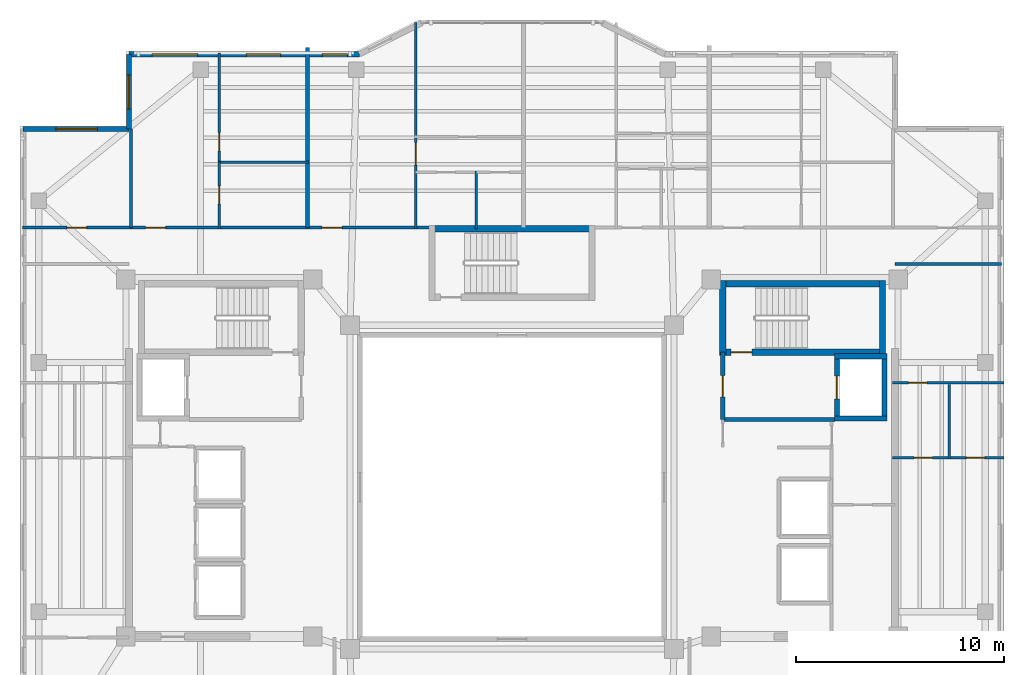
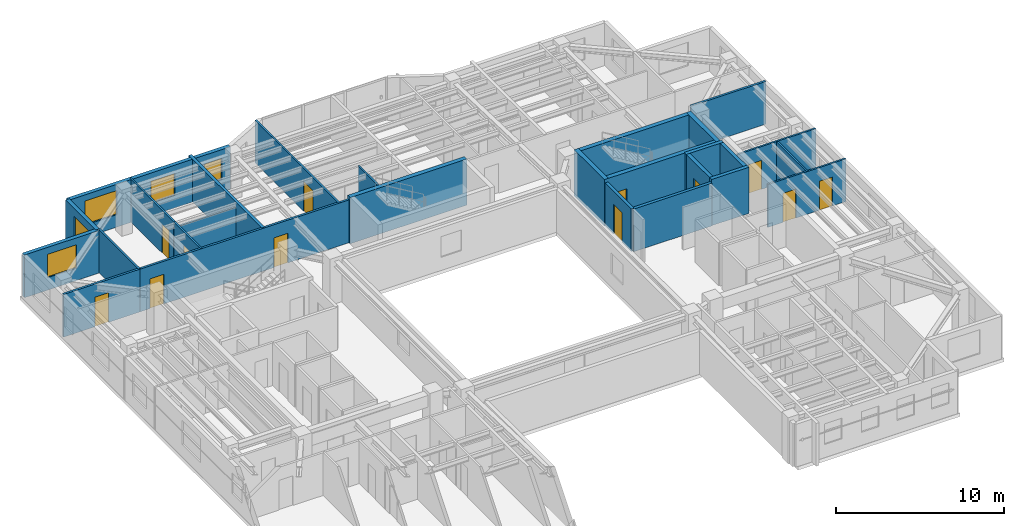
# One storey, part 7 of 12: 27 walls, 12 doors, 5 windows, 17 openings.
"""IFC4 building model written with IfcOpenShell, lengths in metres."""

from ifc_helpers import new_model, si_unit, direction, frame, frame_2d, origin, place, context, subcontext, project, spatial, rectangle, extrude, material, layer, layer_set, type_object, element, fill, save


model = new_model("IFC4")

# Units and contexts
model_context = context("Model", 3, precision=1e-05, world=origin(), true_north=direction((0.0, 1.0)))
body_context = subcontext(model_context, "Body", "Model", "MODEL_VIEW")
ifc_project = project(units=[si_unit("LENGTHUNIT", "METRE"), si_unit("AREAUNIT", "SQUARE_METRE"), si_unit("VOLUMEUNIT", "CUBIC_METRE"), si_unit("PLANEANGLEUNIT", "RADIAN"), si_unit("MASSUNIT", "GRAM", prefix="KILO")], contexts=[model_context])

# Site, building, storey
site_placement = place(None, origin())
site = spatial("IfcSite", under=ifc_project, at=site_placement, CompositionType="ELEMENT")
building_placement = place(site_placement, origin())
building = spatial("IfcBuilding", under=site, at=building_placement, Name="Tarnavaz Court Tower", CompositionType="ELEMENT")
storey_placement = place(building_placement, frame((0.0, 0.0, 207.0)))
storey = spatial("IfcBuildingStorey", under=building, at=storey_placement, Name="L56", CompositionType="ELEMENT", Elevation=207.0)

# Wall, opening, door
ifc_material_1 = material(Name="Concrete C50/60", Category="concrete")
ifc_layer_1 = layer(ifc_material_1, 0.25)
ifc_layer_set_1 = layer_set([ifc_layer_1], Name="Concrete C50/60")
wall_type_1 = type_object("IfcWallType", Name="WL-CORE-250-C50", PredefinedType="SHEAR", material=ifc_layer_set_1)
wall_1_placement = place(storey_placement, frame((15.64990234375, 3.175048828125, 0.0), z_axis=(0.0, 0.0, 1.0), x_axis=(0.0, 1.0, 0.0)))
wall_1 = element("IfcWall", 1, at=wall_1_placement, inside=storey, type_object=wall_type_1, Name="L56 Lift FL-E1 Shaft Wall 033", PredefinedType="SHEAR", context=body_context, shape_type="SweptSolid", body=[
    extrude(rectangle(XDim=3.25, YDim=0.25, at=frame_2d((1.625, 0.0))), origin(), (0.0, 0.0, 1.0), 3.35009765625),
])
opening_1_placement = place(wall_1_placement, frame((1.074951171875, 0.0, 0.0)))
opening_1 = element("IfcOpeningElement", 2, at=opening_1_placement, cuts=wall_1, Name="Opening LD1", PredefinedType="OPENING", context=body_context, shape_type="SweptSolid", body=[
    extrude(rectangle(XDim=1.10009765625, YDim=2.14990234375, at=frame_2d((0.550048828125, 1.074951171875))), frame((0.0, 0.135009765625, 0.0), z_axis=(0.0, -1.0, 0.0), x_axis=(1.0, 0.0, 0.0)), (0.0, 0.0, 1.0), 0.27001953125),
])
ifc_material_2 = material(Name="Stainless Steel", Category="steel")
door_type_1 = type_object("IfcDoorType", Name="DR-LD-1100", OperationType="NOTDEFINED", PredefinedType="DOOR", material=ifc_material_2)
door_1_placement = place(opening_1_placement, origin())
door_1 = element("IfcDoor", 3, at=door_1_placement, inside=storey, type_object=door_type_1, Name="L56 Lift Landing Door LD-FL-E1", OperationType="SLIDING_TO_LEFT", OverallHeight=2.14990234375, OverallWidth=1.10009765625, PredefinedType="DOOR", context=body_context, shape_type="SweptSolid", body=[
    extrude(rectangle(XDim=1.10009765625, YDim=2.14990234375, at=frame_2d((0.550048828125, 1.074951171875))), frame((0.0, 0.02490234375, 0.0), z_axis=(0.0, -1.0, 0.0), x_axis=(1.0, 0.0, 0.0)), (0.0, 0.0, 1.0), 0.050048828125),
])
fill(opening_1, door_1)

# Walls
wall_2_placement = place(storey_placement, frame((17.949951171875, 3.175048828125, 0.0), z_axis=(0.0, 0.0, 1.0), x_axis=(0.0, 1.0, 0.0)))
element("IfcWall", 4, at=wall_2_placement, inside=storey, type_object=wall_type_1, Name="L56 Lift FL-E1 Shaft Wall 034", PredefinedType="SHEAR", context=body_context, shape_type="SweptSolid", body=[
    extrude(rectangle(XDim=3.25, YDim=0.25, at=frame_2d((1.625, 0.0))), origin(), (0.0, 0.0, 1.0), 3.35009765625),
])
for number, where, z_axis, x_axis, name in (
    (5, (15.52490234375, 3.300048828125, 0.0), (0.0, 0.0, 1.0), (1.0, 0.0, 0.0), "L56 Lift FL-E1 Shaft Wall 035"),
    (6, (15.52490234375, 6.300048828125, 0.0), (0.0, 0.0, 1.0), (1.0, 0.0, 0.0), "L56 Lift FL-E1 Shaft Wall 036"),
):
    element("IfcWall", number, at=place(storey_placement, frame(where, z_axis=z_axis, x_axis=x_axis)), inside=storey, type_object=wall_type_1, Name=name, PredefinedType="SHEAR", context=body_context, shape_type="SweptSolid", body=[
        extrude(rectangle(XDim=2.550048828125, YDim=0.25, at=frame_2d((1.27490234375, 0.0))), origin(), (0.0, 0.0, 1.0), 3.35009765625),
    ])
ifc_layer_2 = layer(ifc_material_1, 0.300048828125)
ifc_layer_set_2 = layer_set([ifc_layer_2], Name="Concrete C50/60")
wall_type_2 = type_object("IfcWallType", Name="WL-CORE-300-C50", PredefinedType="SHEAR", material=ifc_layer_set_2)
wall_3_placement = place(storey_placement, frame((10.0, 9.7900390625, 0.0), z_axis=(0.0, 0.0, 1.0), x_axis=(1.0, 0.0, 0.0)))
element("IfcWall", 7, at=wall_3_placement, inside=storey, type_object=wall_type_2, Name="L56 East Stair Core Wall 005", PredefinedType="SHEAR", context=body_context, shape_type="SweptSolid", body=[
    extrude(rectangle(XDim=8.0, YDim=0.300048828125, at=frame_2d((4.0, 0.0))), origin(), (0.0, 0.0, 1.0), 3.35009765625),
])

# Wall, opening, door
wall_4_placement = place(storey_placement, frame((10.0, 6.5, 0.0), z_axis=(0.0, 0.0, 1.0), x_axis=(1.0, 0.0, 0.0)))
wall_4 = element("IfcWall", 8, at=wall_4_placement, inside=storey, type_object=wall_type_2, Name="L56 East Stair Core Wall 006", PredefinedType="SHEAR", context=body_context, shape_type="SweptSolid", body=[
    extrude(rectangle(XDim=8.0, YDim=0.300048828125, at=frame_2d((4.0, 0.0))), origin(), (0.0, 0.0, 1.0), 3.35009765625),
])
opening_2_placement = place(wall_4_placement, frame((0.550048828125, 0.0, 0.0)))
opening_2 = element("IfcOpeningElement", 9, at=opening_2_placement, cuts=wall_4, Name="Opening D01", PredefinedType="OPENING", context=body_context, shape_type="SweptSolid", body=[
    extrude(rectangle(XDim=1.0, YDim=2.14990234375, at=frame_2d((0.5, 1.074951171875))), frame((0.0, 0.159912109375, 0.0), z_axis=(0.0, -1.0, 0.0), x_axis=(1.0, 0.0, 0.0)), (0.0, 0.0, 1.0), 0.320068359375),
])
ifc_material_3 = material(Name="Fire-Rated Hardwood Timber Core", Category="wood")
door_type_2 = type_object("IfcDoorType", Name="DR-FD90-1000", OperationType="NOTDEFINED", PredefinedType="DOOR", material=ifc_material_3)
door_2_placement = place(opening_2_placement, origin())
door_2 = element("IfcDoor", 10, at=door_2_placement, inside=storey, type_object=door_type_2, Name="L56 Stair ST-E1 Exit Door", OperationType="SINGLE_SWING_RIGHT", OverallHeight=2.14990234375, OverallWidth=1.0, PredefinedType="DOOR", context=body_context, shape_type="SweptSolid", body=[
    extrude(rectangle(XDim=1.0, YDim=2.14990234375, at=frame_2d((0.5, 1.074951171875))), frame((0.0, 0.02490234375, 0.0), z_axis=(0.0, -1.0, 0.0), x_axis=(1.0, 0.0, 0.0)), (0.0, 0.0, 1.0), 0.050048828125),
])
fill(opening_2, door_2)

# Walls
for number, where, z_axis, x_axis, name in (
    (11, (10.14990234375, 6.35009765625, 0.0), (0.0, 0.0, 1.0), (0.0, 1.0, 0.0), "L56 East Stair Core Wall 007"),
    (12, (17.85009765625, 6.35009765625, 0.0), (0.0, 0.0, 1.0), (0.0, 1.0, 0.0), "L56 East Stair Core Wall 008"),
):
    element("IfcWall", number, at=place(storey_placement, frame(where, z_axis=z_axis, x_axis=x_axis)), inside=storey, type_object=wall_type_2, Name=name, PredefinedType="SHEAR", context=body_context, shape_type="SweptSolid", body=[
        extrude(rectangle(XDim=3.58984375, YDim=0.300048828125, at=frame_2d((1.794921875, 0.0))), origin(), (0.0, 0.0, 1.0), 3.35009765625),
    ])
wall_5_placement = place(storey_placement, frame((-4.0, 12.43994140625, 0.0), z_axis=(0.0, 0.0, 1.0), x_axis=(1.0, 0.0, 0.0)))
element("IfcWall", 13, at=wall_5_placement, inside=storey, type_object=wall_type_2, Name="L56 North Stair Core Wall 009", PredefinedType="SHEAR", context=body_context, shape_type="SweptSolid", body=[
    extrude(rectangle(XDim=8.0, YDim=0.300048828125, at=frame_2d((4.0, 0.0))), origin(), (0.0, 0.0, 1.0), 3.35009765625),
])

# Wall, opening, window
ifc_material_4 = material(Name="Precast Concrete C40/50", Category="concrete")
ifc_layer_3 = layer(ifc_material_4, 0.260009765625)
ifc_layer_set_3 = layer_set([ifc_layer_3], Name="Precast Concrete C40/50")
wall_type_3 = type_object("IfcWallType", Name="WL-EXT-260", PredefinedType="SOLIDWALL", material=ifc_layer_set_3)
wall_6_placement = place(storey_placement, frame((-23.550048828125, 17.25, 0.0), z_axis=(0.0, 0.0, 1.0), x_axis=(1.0, 0.0, 0.0)))
wall_6 = element("IfcWall", 14, at=wall_6_placement, inside=storey, type_object=wall_type_3, Name="L56 Exterior Terracotta Facade Wall 03", PredefinedType="SOLIDWALL", context=body_context, shape_type="SweptSolid", body=[
    extrude(rectangle(XDim=5.10009765625, YDim=0.260009765625, at=frame_2d((2.550048828125, 0.0))), origin(), (0.0, 0.0, 1.0), 3.10009765625),
])
opening_3_placement = place(wall_6_placement, frame((1.574951171875, 0.0, 0.89990234375)))
opening_3 = element("IfcOpeningElement", 15, at=opening_3_placement, cuts=wall_6, Name="Opening W08", PredefinedType="OPENING", context=body_context, shape_type="SweptSolid", body=[
    extrude(rectangle(XDim=2.0, YDim=1.699951171875, at=frame_2d((1.0, 0.85009765625))), frame((0.0, 0.139892578125, 0.0), z_axis=(0.0, -1.0, 0.0), x_axis=(1.0, 0.0, 0.0)), (0.0, 0.0, 1.0), 0.280029296875),
])
ifc_material_5 = material(Name="Double-Glazed Solar Low-E Glass", Category="glass")
window_type_1 = type_object("IfcWindowType", Name="WN-APT-2000", PartitioningType="DOUBLE_PANEL_VERTICAL", PredefinedType="WINDOW", material=ifc_material_5)
window_1_placement = place(opening_3_placement, origin())
window_1 = element("IfcWindow", 16, at=window_1_placement, inside=storey, type_object=window_type_1, Name="L56 North-West Corner Sunroom Study Window", OverallHeight=1.699951171875, OverallWidth=2.0, PartitioningType="SINGLE_PANEL", PredefinedType="WINDOW", context=body_context, shape_type="SweptSolid", body=[
    extrude(rectangle(XDim=2.0, YDim=1.699951171875, at=frame_2d((1.0, 0.85009765625))), frame((0.0, 0.030029296875, 0.0), z_axis=(0.0, -1.0, 0.0), x_axis=(1.0, 0.0, 0.0)), (0.0, 0.0, 1.0), 0.06005859375),
])
fill(opening_3, window_1)

wall_7_placement = place(storey_placement, frame((-18.449951171875, 17.25, 0.0), z_axis=(0.0, 0.0, 1.0), x_axis=(0.0, 1.0, 0.0)))
wall_7 = element("IfcWall", 17, at=wall_7_placement, inside=storey, type_object=wall_type_3, Name="L56 Exterior Terracotta Facade Wall 04", PredefinedType="SOLIDWALL", context=body_context, shape_type="SweptSolid", body=[
    extrude(rectangle(XDim=3.60009765625, YDim=0.260009765625, at=frame_2d((1.800048828125, 0.0))), origin(), (0.0, 0.0, 1.0), 3.10009765625),
])
opening_4_placement = place(wall_7_placement, frame((0.95751953125, 0.0, 0.89990234375)))
opening_4 = element("IfcOpeningElement", 18, at=opening_4_placement, cuts=wall_7, Name="Opening W02", PredefinedType="OPENING", context=body_context, shape_type="SweptSolid", body=[
    extrude(rectangle(XDim=1.64990234375, YDim=1.60009765625, at=frame_2d((0.824951171875, 0.800048828125))), frame((0.0, 0.139892578125, 0.0), z_axis=(0.0, -1.0, 0.0), x_axis=(1.0, 0.0, 0.0)), (0.0, 0.0, 1.0), 0.280029296875),
])
window_type_2 = type_object("IfcWindowType", Name="WN-APT-1650", PartitioningType="DOUBLE_PANEL_VERTICAL", PredefinedType="WINDOW", material=ifc_material_5)
window_2_placement = place(opening_4_placement, origin())
window_2 = element("IfcWindow", 19, at=window_2_placement, inside=storey, type_object=window_type_2, Name="L56 Flat 01 Studio Living and Sleeping Room Window", OverallHeight=1.60009765625, OverallWidth=1.64990234375, PartitioningType="SINGLE_PANEL", PredefinedType="WINDOW", context=body_context, shape_type="SweptSolid", body=[
    extrude(rectangle(XDim=1.64990234375, YDim=1.60009765625, at=frame_2d((0.824951171875, 0.800048828125))), frame((0.0, 0.030029296875, 0.0), z_axis=(0.0, -1.0, 0.0), x_axis=(1.0, 0.0, 0.0)), (0.0, 0.0, 1.0), 0.06005859375),
])
fill(opening_4, window_2)

# Wall, openings, windows
wall_8_placement = place(storey_placement, frame((-18.449951171875, 20.85009765625, 0.0), z_axis=(0.0, 0.0, 1.0), x_axis=(1.0, 0.0, 0.0)))
wall_8 = element("IfcWall", 20, at=wall_8_placement, inside=storey, type_object=wall_type_3, Name="L56 Exterior Terracotta Facade Wall 05", PredefinedType="SOLIDWALL", context=body_context, shape_type="SweptSolid", body=[
    extrude(rectangle(XDim=11.099853515625, YDim=0.260009765625, at=frame_2d((5.5498046875, 0.0))), origin(), (0.0, 0.0, 1.0), 3.10009765625),
])
opening_5_placement = place(wall_8_placement, frame((1.110107421875, 0.0, 0.89990234375)))
opening_5 = element("IfcOpeningElement", 21, at=opening_5_placement, cuts=wall_8, Name="Opening W07", PredefinedType="OPENING", context=body_context, shape_type="SweptSolid", body=[
    extrude(rectangle(XDim=2.199951171875, YDim=1.75, at=frame_2d((1.10009765625, 0.875))), frame((0.0, 0.139892578125, 0.0), z_axis=(0.0, -1.0, 0.0), x_axis=(1.0, 0.0, 0.0)), (0.0, 0.0, 1.0), 0.280029296875),
])
opening_6_placement = place(wall_8_placement, frame((5.654296875, 0.0, 0.89990234375)))
opening_6 = element("IfcOpeningElement", 22, at=opening_6_placement, cuts=wall_8, Name="Opening W02", PredefinedType="OPENING", context=body_context, shape_type="SweptSolid", body=[
    extrude(rectangle(XDim=1.64990234375, YDim=1.60009765625, at=frame_2d((0.824951171875, 0.800048828125))), frame((0.0, 0.139892578125, 0.0), z_axis=(0.0, -1.0, 0.0), x_axis=(1.0, 0.0, 0.0)), (0.0, 0.0, 1.0), 0.280029296875),
])
opening_7_placement = place(wall_8_placement, frame((9.319580078125, 0.0, 0.949951171875)))
opening_7 = element("IfcOpeningElement", 23, at=opening_7_placement, cuts=wall_8, Name="Opening W05", PredefinedType="OPENING", context=body_context, shape_type="SweptSolid", body=[
    extrude(rectangle(XDim=1.199951171875, YDim=1.5, at=frame_2d((0.60009765625, 0.75))), frame((0.0, 0.139892578125, 0.0), z_axis=(0.0, -1.0, 0.0), x_axis=(1.0, 0.0, 0.0)), (0.0, 0.0, 1.0), 0.280029296875),
])
window_type_3 = type_object("IfcWindowType", Name="WN-APT-1200", PartitioningType="SINGLE_PANEL", PredefinedType="WINDOW", material=ifc_material_5)
window_3_placement = place(opening_7_placement, origin())
window_3 = element("IfcWindow", 24, at=window_3_placement, inside=storey, type_object=window_type_3, Name="L56 Flat 02 Living and Dining Room Window", OverallHeight=1.5, OverallWidth=1.199951171875, PartitioningType="SINGLE_PANEL", PredefinedType="WINDOW", context=body_context, shape_type="SweptSolid", body=[
    extrude(rectangle(XDim=1.199951171875, YDim=1.5, at=frame_2d((0.60009765625, 0.75))), frame((0.0, 0.030029296875, 0.0), z_axis=(0.0, -1.0, 0.0), x_axis=(1.0, 0.0, 0.0)), (0.0, 0.0, 1.0), 0.06005859375),
])
fill(opening_7, window_3)
window_4_placement = place(opening_6_placement, origin())
window_4 = element("IfcWindow", 25, at=window_4_placement, inside=storey, type_object=window_type_2, Name="L56 Flat 01 Kitchen Window", OverallHeight=1.60009765625, OverallWidth=1.64990234375, PartitioningType="SINGLE_PANEL", PredefinedType="WINDOW", context=body_context, shape_type="SweptSolid", body=[
    extrude(rectangle(XDim=1.64990234375, YDim=1.60009765625, at=frame_2d((0.824951171875, 0.800048828125))), frame((0.0, 0.030029296875, 0.0), z_axis=(0.0, -1.0, 0.0), x_axis=(1.0, 0.0, 0.0)), (0.0, 0.0, 1.0), 0.06005859375),
])
fill(opening_6, window_4)
window_type_4 = type_object("IfcWindowType", Name="WN-APT-2200", PartitioningType="TRIPLE_PANEL_VERTICAL", PredefinedType="WINDOW", material=ifc_material_5)
window_5_placement = place(opening_5_placement, origin())
window_5 = element("IfcWindow", 26, at=window_5_placement, inside=storey, type_object=window_type_4, Name="L56 Flat 01 Studio Living and Sleeping Room Window", OverallHeight=1.75, OverallWidth=2.199951171875, PartitioningType="SINGLE_PANEL", PredefinedType="WINDOW", context=body_context, shape_type="SweptSolid", body=[
    extrude(rectangle(XDim=2.199951171875, YDim=1.75, at=frame_2d((1.10009765625, 0.875))), frame((0.0, 0.030029296875, 0.0), z_axis=(0.0, -1.0, 0.0), x_axis=(1.0, 0.0, 0.0)), (0.0, 0.0, 1.0), 0.06005859375),
])
fill(opening_5, window_5)

# Wall, openings, doors
ifc_material_6 = material(Name="Gypsum Fire-Board on Acoustic Metal Stud", Category="masonry")
ifc_layer_4 = layer(ifc_material_6, 0.14990234375)
ifc_layer_set_4 = layer_set([ifc_layer_4], Name="Gypsum Fire-Board on Acoustic Metal Stud")
wall_type_4 = type_object("IfcWallType", Name="WL-FIRE-150", PredefinedType="PARTITIONING", material=ifc_layer_set_4)
wall_9_placement = place(storey_placement, frame((-18.35009765625, 12.5, 0.0), z_axis=(0.0, 0.0, 1.0), x_axis=(1.0, 0.0, 0.0)))
wall_9 = element("IfcWall", 27, at=wall_9_placement, inside=storey, type_object=wall_type_4, Name="L56 NW Wing Corridor Wall 055", PredefinedType="PARTITIONING", context=body_context, shape_type="SweptSolid", body=[
    extrude(rectangle(XDim=14.5, YDim=0.14990234375, at=frame_2d((7.25, 0.0))), origin(), (0.0, 0.0, 1.0), 3.10009765625),
])
opening_8_placement = place(wall_9_placement, frame((0.699951171875, 0.0, 0.0)))
opening_8 = element("IfcOpeningElement", 28, at=opening_8_placement, cuts=wall_9, Name="Opening D06", PredefinedType="OPENING", context=body_context, shape_type="SweptSolid", body=[
    extrude(rectangle(XDim=0.9599609375, YDim=2.14990234375, at=frame_2d((0.47998046875, 1.074951171875))), frame((0.0, 0.0849609375, 0.0), z_axis=(0.0, -1.0, 0.0), x_axis=(1.0, 0.0, 0.0)), (0.0, 0.0, 1.0), 0.169921875),
])
opening_9_placement = place(wall_9_placement, frame((9.205078125, 0.0, 0.0)))
opening_9 = element("IfcOpeningElement", 29, at=opening_9_placement, cuts=wall_9, Name="Opening D06", PredefinedType="OPENING", context=body_context, shape_type="SweptSolid", body=[
    extrude(rectangle(XDim=0.9599609375, YDim=2.14990234375, at=frame_2d((0.47998046875, 1.074951171875))), frame((0.0, 0.0849609375, 0.0), z_axis=(0.0, -1.0, 0.0), x_axis=(1.0, 0.0, 0.0)), (0.0, 0.0, 1.0), 0.169921875),
])
door_type_3 = type_object("IfcDoorType", Name="DR-FD60-950", OperationType="NOTDEFINED", PredefinedType="DOOR", material=ifc_material_3)
door_3_placement = place(opening_8_placement, origin())
door_3 = element("IfcDoor", 30, at=door_3_placement, inside=storey, type_object=door_type_3, Name="L56 Flat 01 Entrance Door", OperationType="SINGLE_SWING_LEFT", OverallHeight=2.14990234375, OverallWidth=0.9599609375, PredefinedType="DOOR", context=body_context, shape_type="SweptSolid", body=[
    extrude(rectangle(XDim=0.9599609375, YDim=2.14990234375, at=frame_2d((0.47998046875, 1.074951171875))), frame((0.0, 0.02490234375, 0.0), z_axis=(0.0, -1.0, 0.0), x_axis=(1.0, 0.0, 0.0)), (0.0, 0.0, 1.0), 0.050048828125),
])
fill(opening_8, door_3)
door_4_placement = place(opening_9_placement, origin())
door_4 = element("IfcDoor", 31, at=door_4_placement, inside=storey, type_object=door_type_3, Name="L56 Flat 02 Entrance Door", OperationType="SINGLE_SWING_RIGHT", OverallHeight=2.14990234375, OverallWidth=0.9599609375, PredefinedType="DOOR", context=body_context, shape_type="SweptSolid", body=[
    extrude(rectangle(XDim=0.9599609375, YDim=2.14990234375, at=frame_2d((0.47998046875, 1.074951171875))), frame((0.0, 0.02490234375, 0.0), z_axis=(0.0, -1.0, 0.0), x_axis=(1.0, 0.0, 0.0)), (0.0, 0.0, 1.0), 0.050048828125),
])
fill(opening_9, door_4)

# Wall
wall_10_placement = place(storey_placement, frame((18.449951171875, 10.75, 0.0), z_axis=(0.0, 0.0, 1.0), x_axis=(1.0, 0.0, 0.0)))
element("IfcWall", 32, at=wall_10_placement, inside=storey, type_object=wall_type_4, Name="L56 Interior Partition 099", PredefinedType="PARTITIONING", context=body_context, shape_type="SweptSolid", body=[
    extrude(rectangle(XDim=5.130126953125, YDim=0.14990234375, at=frame_2d((2.56494140625, 0.0))), origin(), (0.0, 0.0, 1.0), 3.10009765625),
])

# Wall, opening, door
wall_11_placement = place(storey_placement, frame((-23.580078125, 12.5, 0.0), z_axis=(0.0, 0.0, 1.0), x_axis=(1.0, 0.0, 0.0)))
wall_11 = element("IfcWall", 33, at=wall_11_placement, inside=storey, type_object=wall_type_4, Name="L56 Interior Partition 104", PredefinedType="PARTITIONING", context=body_context, shape_type="SweptSolid", body=[
    extrude(rectangle(XDim=5.22998046875, YDim=0.14990234375, at=frame_2d((2.614990234375, 0.0))), origin(), (0.0, 0.0, 1.0), 3.10009765625),
])
opening_10_placement = place(wall_11_placement, frame((2.139892578125, 0.0, 0.0)))
opening_10 = element("IfcOpeningElement", 34, at=opening_10_placement, cuts=wall_11, Name="Opening D13", PredefinedType="OPENING", context=body_context, shape_type="SweptSolid", body=[
    extrude(rectangle(XDim=0.949951171875, YDim=2.14990234375, at=frame_2d((0.47509765625, 1.074951171875))), frame((0.0, 0.0849609375, 0.0), z_axis=(0.0, -1.0, 0.0), x_axis=(1.0, 0.0, 0.0)), (0.0, 0.0, 1.0), 0.169921875),
])
ifc_material_7 = material(Name="Engineered Oak Timber", Category="wood")
door_type_4 = type_object("IfcDoorType", Name="DR-INT-950", OperationType="NOTDEFINED", PredefinedType="DOOR", material=ifc_material_7)
door_5_placement = place(opening_10_placement, origin())
door_5 = element("IfcDoor", 35, at=door_5_placement, inside=storey, type_object=door_type_4, Name="L56 NW Sunroom Door", OperationType="SINGLE_SWING_LEFT", OverallHeight=2.14990234375, OverallWidth=0.949951171875, PredefinedType="DOOR", context=body_context, shape_type="SweptSolid", body=[
    extrude(rectangle(XDim=0.949951171875, YDim=2.14990234375, at=frame_2d((0.47509765625, 1.074951171875))), frame((0.0, 0.02490234375, 0.0), z_axis=(0.0, -1.0, 0.0), x_axis=(1.0, 0.0, 0.0)), (0.0, 0.0, 1.0), 0.050048828125),
])
fill(opening_10, door_5)

# Wall
ifc_material_8 = material(Name="Autoclaved Aerated Concrete Blockwork", Category="masonry")
ifc_layer_5 = layer(ifc_material_8, 0.199951171875)
ifc_layer_set_5 = layer_set([ifc_layer_5], Name="Autoclaved Aerated Concrete Blockwork")
wall_type_5 = type_object("IfcWallType", Name="WL-FIRE-200", PredefinedType="SOLIDWALL", material=ifc_layer_set_5)
wall_12_placement = place(storey_placement, frame((10.14990234375, 3.25, 0.0), z_axis=(0.0, 0.0, 1.0), x_axis=(1.0, 0.0, 0.0)))
element("IfcWall", 36, at=wall_12_placement, inside=storey, type_object=wall_type_5, Name="L56 East Firefighting Lobby Wall 015", PredefinedType="SOLIDWALL", context=body_context, shape_type="SweptSolid", body=[
    extrude(rectangle(XDim=5.400146484375, YDim=0.199951171875, at=frame_2d((2.7001953125, 0.0))), origin(), (0.0, 0.0, 1.0), 3.10009765625),
])

# Wall, opening, door
wall_13_placement = place(storey_placement, frame((10.14990234375, 3.25, 0.0), z_axis=(0.0, 0.0, 1.0), x_axis=(0.0, 1.0, 0.0)))
wall_13 = element("IfcWall", 37, at=wall_13_placement, inside=storey, type_object=wall_type_5, Name="L56 East Firefighting Lobby Wall 016", PredefinedType="SOLIDWALL", context=body_context, shape_type="SweptSolid", body=[
    extrude(rectangle(XDim=3.25, YDim=0.199951171875, at=frame_2d((1.625, 0.0))), origin(), (0.0, 0.0, 1.0), 3.10009765625),
])
opening_11_placement = place(wall_13_placement, frame((1.10009765625, 0.0, 0.0)))
opening_11 = element("IfcOpeningElement", 38, at=opening_11_placement, cuts=wall_13, Name="Opening D05", PredefinedType="OPENING", context=body_context, shape_type="SweptSolid", body=[
    extrude(rectangle(XDim=1.02001953125, YDim=2.14990234375, at=frame_2d((0.510009765625, 1.074951171875))), frame((0.0, 0.10986328125, 0.0), z_axis=(0.0, -1.0, 0.0), x_axis=(1.0, 0.0, 0.0)), (0.0, 0.0, 1.0), 0.219970703125),
])
door_type_5 = type_object("IfcDoorType", Name="DR-FD60-1000", OperationType="NOTDEFINED", PredefinedType="DOOR", material=ifc_material_3)
door_6_placement = place(opening_11_placement, origin())
door_6 = element("IfcDoor", 39, at=door_6_placement, inside=storey, type_object=door_type_5, Name="L56 East Firefighting Lobby Door", OperationType="SINGLE_SWING_LEFT", OverallHeight=2.14990234375, OverallWidth=1.02001953125, PredefinedType="DOOR", context=body_context, shape_type="SweptSolid", body=[
    extrude(rectangle(XDim=1.02001953125, YDim=2.14990234375, at=frame_2d((0.510009765625, 1.074951171875))), frame((0.0, 0.02490234375, 0.0), z_axis=(0.0, -1.0, 0.0), x_axis=(1.0, 0.0, 0.0)), (0.0, 0.0, 1.0), 0.050048828125),
])
fill(opening_11, door_6)

# Wall
wall_14_placement = place(storey_placement, frame((-9.844970703125, 12.5, 0.0), z_axis=(0.0, 0.0, 1.0), x_axis=(0.0, 1.0, 0.0)))
element("IfcWall", 40, at=wall_14_placement, inside=storey, type_object=wall_type_5, Name="L56 Party Wall 062", PredefinedType="SOLIDWALL", context=body_context, shape_type="SweptSolid", body=[
    extrude(rectangle(XDim=8.68505859375, YDim=0.199951171875, at=frame_2d((4.342529296875, 0.0))), origin(), (0.0, 0.0, 1.0), 3.10009765625),
])

# Wall, opening, door
ifc_material_9 = material(Name="Moisture-Resistant Gypsum Board Partition", Category="masonry")
ifc_layer_6 = layer(ifc_material_9, 0.1201171875)
ifc_layer_set_6 = layer_set([ifc_layer_6], Name="Moisture-Resistant Gypsum Board Partition")
wall_type_6 = type_object("IfcWallType", Name="WL-PART-120", PredefinedType="PARTITIONING", material=ifc_layer_set_6)
wall_15_placement = place(storey_placement, frame((-14.097900390625, 12.43994140625, 0.0), z_axis=(0.0, 0.0, 1.0), x_axis=(0.0, 1.0, 0.0)))
wall_15 = element("IfcWall", 41, at=wall_15_placement, inside=storey, type_object=wall_type_6, Name="L56 Interior Partition 063", PredefinedType="PARTITIONING", context=body_context, shape_type="SweptSolid", body=[
    extrude(rectangle(XDim=3.2099609375, YDim=0.1201171875, at=frame_2d((1.60498046875, 0.0))), origin(), (0.0, 0.0, 1.0), 3.10009765625),
])
opening_12_placement = place(wall_15_placement, frame((1.195068359375, 0.0, 0.0)))
opening_12 = element("IfcOpeningElement", 42, at=opening_12_placement, cuts=wall_15, Name="Opening D14", PredefinedType="OPENING", context=body_context, shape_type="SweptSolid", body=[
    extrude(rectangle(XDim=0.8798828125, YDim=2.10009765625, at=frame_2d((0.43994140625, 1.050048828125))), frame((0.0, 0.070068359375, 0.0), z_axis=(0.0, -1.0, 0.0), x_axis=(1.0, 0.0, 0.0)), (0.0, 0.0, 1.0), 0.14013671875),
])
door_type_6 = type_object("IfcDoorType", Name="DR-INT-900", OperationType="NOTDEFINED", PredefinedType="DOOR", material=ifc_material_7)
door_7_placement = place(opening_12_placement, origin())
door_7 = element("IfcDoor", 43, at=door_7_placement, inside=storey, type_object=door_type_6, Name="L56 Flat 01 Bathroom Door", OperationType="SINGLE_SWING_RIGHT", OverallHeight=2.10009765625, OverallWidth=0.8798828125, PredefinedType="DOOR", context=body_context, shape_type="SweptSolid", body=[
    extrude(rectangle(XDim=0.8798828125, YDim=2.10009765625, at=frame_2d((0.43994140625, 1.050048828125))), frame((0.0, 0.02490234375, 0.0), z_axis=(0.0, -1.0, 0.0), x_axis=(1.0, 0.0, 0.0)), (0.0, 0.0, 1.0), 0.050048828125),
])
fill(opening_12, door_7)

wall_16_placement = place(storey_placement, frame((-14.097900390625, 15.64990234375, 0.0), z_axis=(0.0, 0.0, 1.0), x_axis=(0.0, 1.0, 0.0)))
wall_16 = element("IfcWall", 44, at=wall_16_placement, inside=storey, type_object=wall_type_6, Name="L56 Interior Partition 064", PredefinedType="PARTITIONING", context=body_context, shape_type="SweptSolid", body=[
    extrude(rectangle(XDim=5.25, YDim=0.1201171875, at=frame_2d((2.625, 0.0))), origin(), (0.0, 0.0, 1.0), 3.10009765625),
])
opening_13_placement = place(wall_16_placement, frame((0.550048828125, 0.0, 0.0)))
opening_13 = element("IfcOpeningElement", 45, at=opening_13_placement, cuts=wall_16, Name="Opening D14", PredefinedType="OPENING", context=body_context, shape_type="SweptSolid", body=[
    extrude(rectangle(XDim=0.8798828125, YDim=2.10009765625, at=frame_2d((0.43994140625, 1.050048828125))), frame((0.0, 0.070068359375, 0.0), z_axis=(0.0, -1.0, 0.0), x_axis=(1.0, 0.0, 0.0)), (0.0, 0.0, 1.0), 0.14013671875),
])
door_8_placement = place(opening_13_placement, origin())
door_8 = element("IfcDoor", 46, at=door_8_placement, inside=storey, type_object=door_type_6, Name="L56 Flat 01 Kitchen Door", OperationType="SINGLE_SWING_LEFT", OverallHeight=2.10009765625, OverallWidth=0.8798828125, PredefinedType="DOOR", context=body_context, shape_type="SweptSolid", body=[
    extrude(rectangle(XDim=0.8798828125, YDim=2.10009765625, at=frame_2d((0.43994140625, 1.050048828125))), frame((0.0, 0.02490234375, 0.0), z_axis=(0.0, -1.0, 0.0), x_axis=(1.0, 0.0, 0.0)), (0.0, 0.0, 1.0), 0.050048828125),
])
fill(opening_13, door_8)

# Wall
wall_17_placement = place(storey_placement, frame((-14.157958984375, 15.64990234375, 0.0), z_axis=(0.0, 0.0, 1.0), x_axis=(1.0, 0.0, 0.0)))
element("IfcWall", 47, at=wall_17_placement, inside=storey, type_object=wall_type_6, Name="L56 Interior Partition 065", PredefinedType="PARTITIONING", context=body_context, shape_type="SweptSolid", body=[
    extrude(rectangle(XDim=4.373046875, YDim=0.1201171875, at=frame_2d((2.1865234375, 0.0))), origin(), (0.0, 0.0, 1.0), 2.72509765625),
])

# Wall, opening, door
wall_18_placement = place(storey_placement, frame((-4.64697265625, 12.43994140625, 0.0), z_axis=(0.0, 0.0, 1.0), x_axis=(0.0, 1.0, 0.0)))
wall_18 = element("IfcWall", 48, at=wall_18_placement, inside=storey, type_object=wall_type_6, Name="L56 Interior Partition 066", PredefinedType="PARTITIONING", context=body_context, shape_type="SweptSolid", body=[
    extrude(rectangle(XDim=9.93994140625, YDim=0.1201171875, at=frame_2d((4.969970703125, 0.0))), origin(), (0.0, 0.0, 1.0), 3.10009765625),
])
opening_14_placement = place(wall_18_placement, frame((3.074951171875, 0.0, 0.0)))
opening_14 = element("IfcOpeningElement", 49, at=opening_14_placement, cuts=wall_18, Name="Opening D12", PredefinedType="OPENING", context=body_context, shape_type="SweptSolid", body=[
    extrude(rectangle(XDim=1.080078125, YDim=2.14990234375, at=frame_2d((0.5400390625, 1.074951171875))), frame((0.0, 0.070068359375, 0.0), z_axis=(0.0, -1.0, 0.0), x_axis=(1.0, 0.0, 0.0)), (0.0, 0.0, 1.0), 0.14013671875),
])
door_type_7 = type_object("IfcDoorType", Name="DR-INT-1100", OperationType="NOTDEFINED", PredefinedType="DOOR", material=ifc_material_7)
door_9_placement = place(opening_14_placement, origin())
door_9 = element("IfcDoor", 50, at=door_9_placement, inside=storey, type_object=door_type_7, Name="L56 Flat 02 Foyer Door", OperationType="SINGLE_SWING_LEFT", OverallHeight=2.14990234375, OverallWidth=1.080078125, PredefinedType="DOOR", context=body_context, shape_type="SweptSolid", body=[
    extrude(rectangle(XDim=1.080078125, YDim=2.14990234375, at=frame_2d((0.5400390625, 1.074951171875))), frame((0.0, 0.02490234375, 0.0), z_axis=(0.0, -1.0, 0.0), x_axis=(1.0, 0.0, 0.0)), (0.0, 0.0, 1.0), 0.050048828125),
])
fill(opening_14, door_9)

# Wall
wall_19_placement = place(storey_placement, frame((-1.718994140625, 12.43994140625, 0.0), z_axis=(0.0, 0.0, 1.0), x_axis=(0.0, 1.0, 0.0)))
element("IfcWall", 51, at=wall_19_placement, inside=storey, type_object=wall_type_6, Name="L56 Interior Partition 070", PredefinedType="PARTITIONING", context=body_context, shape_type="SweptSolid", body=[
    extrude(rectangle(XDim=2.7900390625, YDim=0.1201171875, at=frame_2d((1.39501953125, 0.0))), origin(), (0.0, 0.0, 1.0), 3.10009765625),
])

# Wall, openings, doors
wall_20_placement = place(storey_placement, frame((18.330078125, 1.419921875, 0.0), z_axis=(0.0, 0.0, 1.0), x_axis=(1.0, 0.0, 0.0)))
wall_20 = element("IfcWall", 52, at=wall_20_placement, inside=storey, type_object=wall_type_6, Name="L56 Interior Partition 111", PredefinedType="PARTITIONING", context=body_context, shape_type="SweptSolid", body=[
    extrude(rectangle(XDim=5.369873046875, YDim=0.1201171875, at=frame_2d((2.68505859375, 0.0))), origin(), (0.0, 0.0, 1.0), 3.10009765625),
])
opening_15_placement = place(wall_20_placement, frame((1.0380859375, 0.0, 0.0)))
opening_15 = element("IfcOpeningElement", 53, at=opening_15_placement, cuts=wall_20, Name="Opening D14", PredefinedType="OPENING", context=body_context, shape_type="SweptSolid", body=[
    extrude(rectangle(XDim=0.8798828125, YDim=2.10009765625, at=frame_2d((0.43994140625, 1.050048828125))), frame((0.0, 0.070068359375, 0.0), z_axis=(0.0, -1.0, 0.0), x_axis=(1.0, 0.0, 0.0)), (0.0, 0.0, 1.0), 0.14013671875),
])
opening_16_placement = place(wall_20_placement, frame((3.552978515625, 0.0, 0.0)))
opening_16 = element("IfcOpeningElement", 54, at=opening_16_placement, cuts=wall_20, Name="Opening D14", PredefinedType="OPENING", context=body_context, shape_type="SweptSolid", body=[
    extrude(rectangle(XDim=0.8798828125, YDim=2.10009765625, at=frame_2d((0.43994140625, 1.050048828125))), frame((0.0, 0.070068359375, 0.0), z_axis=(0.0, -1.0, 0.0), x_axis=(1.0, 0.0, 0.0)), (0.0, 0.0, 1.0), 0.14013671875),
])
door_10_placement = place(opening_15_placement, origin())
door_10 = element("IfcDoor", 55, at=door_10_placement, inside=storey, type_object=door_type_6, Name="L56 Flat 10 Kitchen Door", OperationType="SINGLE_SWING_RIGHT", OverallHeight=2.10009765625, OverallWidth=0.8798828125, PredefinedType="DOOR", context=body_context, shape_type="SweptSolid", body=[
    extrude(rectangle(XDim=0.8798828125, YDim=2.10009765625, at=frame_2d((0.43994140625, 1.050048828125))), frame((0.0, 0.02490234375, 0.0), z_axis=(0.0, -1.0, 0.0), x_axis=(1.0, 0.0, 0.0)), (0.0, 0.0, 1.0), 0.050048828125),
])
fill(opening_15, door_10)
door_11_placement = place(opening_16_placement, origin())
door_11 = element("IfcDoor", 56, at=door_11_placement, inside=storey, type_object=door_type_6, Name="L56 Flat 10 Bathroom Door", OperationType="SINGLE_SWING_LEFT", OverallHeight=2.10009765625, OverallWidth=0.8798828125, PredefinedType="DOOR", context=body_context, shape_type="SweptSolid", body=[
    extrude(rectangle(XDim=0.8798828125, YDim=2.10009765625, at=frame_2d((0.43994140625, 1.050048828125))), frame((0.0, 0.02490234375, 0.0), z_axis=(0.0, -1.0, 0.0), x_axis=(1.0, 0.0, 0.0)), (0.0, 0.0, 1.0), 0.050048828125),
])
fill(opening_16, door_11)

# Wall, opening, door
wall_21_placement = place(storey_placement, frame((18.330078125, 5.02001953125, 0.0), z_axis=(0.0, 0.0, 1.0), x_axis=(1.0, 0.0, 0.0)))
wall_21 = element("IfcWall", 57, at=wall_21_placement, inside=storey, type_object=wall_type_6, Name="L56 Interior Partition 112", PredefinedType="PARTITIONING", context=body_context, shape_type="SweptSolid", body=[
    extrude(rectangle(XDim=5.369873046875, YDim=0.1201171875, at=frame_2d((2.68505859375, 0.0))), origin(), (0.0, 0.0, 1.0), 3.10009765625),
])
opening_17_placement = place(wall_21_placement, frame((0.77001953125, 0.0, 0.0)))
opening_17 = element("IfcOpeningElement", 58, at=opening_17_placement, cuts=wall_21, Name="Opening D14", PredefinedType="OPENING", context=body_context, shape_type="SweptSolid", body=[
    extrude(rectangle(XDim=0.8798828125, YDim=2.10009765625, at=frame_2d((0.43994140625, 1.050048828125))), frame((0.0, 0.070068359375, 0.0), z_axis=(0.0, -1.0, 0.0), x_axis=(1.0, 0.0, 0.0)), (0.0, 0.0, 1.0), 0.14013671875),
])
door_12_placement = place(opening_17_placement, origin())
door_12 = element("IfcDoor", 59, at=door_12_placement, inside=storey, type_object=door_type_6, Name="L56 Flat 10 Study Door", OperationType="SINGLE_SWING_RIGHT", OverallHeight=2.10009765625, OverallWidth=0.8798828125, PredefinedType="DOOR", context=body_context, shape_type="SweptSolid", body=[
    extrude(rectangle(XDim=0.8798828125, YDim=2.10009765625, at=frame_2d((0.43994140625, 1.050048828125))), frame((0.0, 0.02490234375, 0.0), z_axis=(0.0, -1.0, 0.0), x_axis=(1.0, 0.0, 0.0)), (0.0, 0.0, 1.0), 0.050048828125),
])
fill(opening_17, door_12)

# Walls
wall_22_placement = place(storey_placement, frame((21.06494140625, 1.360107421875, 0.0), z_axis=(0.0, 0.0, 1.0), x_axis=(0.0, 1.0, 0.0)))
element("IfcWall", 60, at=wall_22_placement, inside=storey, type_object=wall_type_6, Name="L56 Interior Partition 113", PredefinedType="PARTITIONING", context=body_context, shape_type="SweptSolid", body=[
    extrude(rectangle(XDim=3.579833984375, YDim=0.1201171875, at=frame_2d((1.7900390625, 0.0))), origin(), (0.0, 0.0, 1.0), 3.10009765625),
])
ifc_material_10 = material(Name="Gypsum Plasterboard Acoustic Partition", Category="masonry")
ifc_layer_7 = layer(ifc_material_10, 0.139892578125)
ifc_layer_set_7 = layer_set([ifc_layer_7], Name="Gypsum Plasterboard Acoustic Partition")
wall_type_7 = type_object("IfcWallType", Name="WL-PART-150", PredefinedType="PARTITIONING", material=ifc_layer_set_7)
wall_23_placement = place(storey_placement, frame((-18.35009765625, 12.5, 0.0), z_axis=(0.0, 0.0, 1.0), x_axis=(0.0, 1.0, 0.0)))
element("IfcWall", 61, at=wall_23_placement, inside=storey, type_object=wall_type_7, Name="L56 Interior Partition 102", PredefinedType="PARTITIONING", context=body_context, shape_type="SweptSolid", body=[
    extrude(rectangle(XDim=4.75, YDim=0.139892578125, at=frame_2d((2.375, 0.0))), origin(), (0.0, 0.0, 1.0), 3.10009765625),
])

save(model, "model.ifc")
